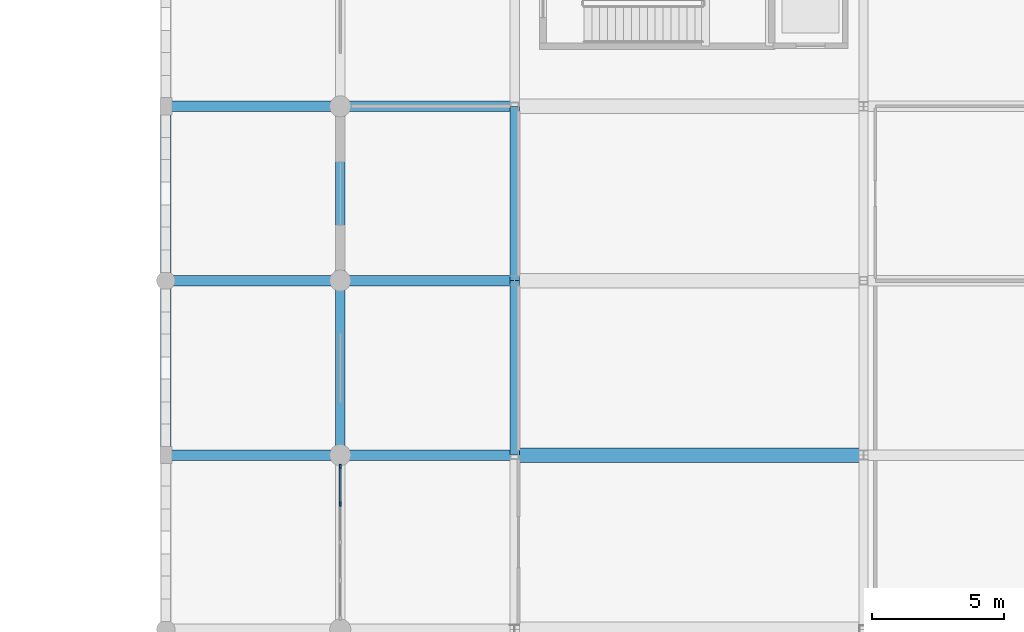
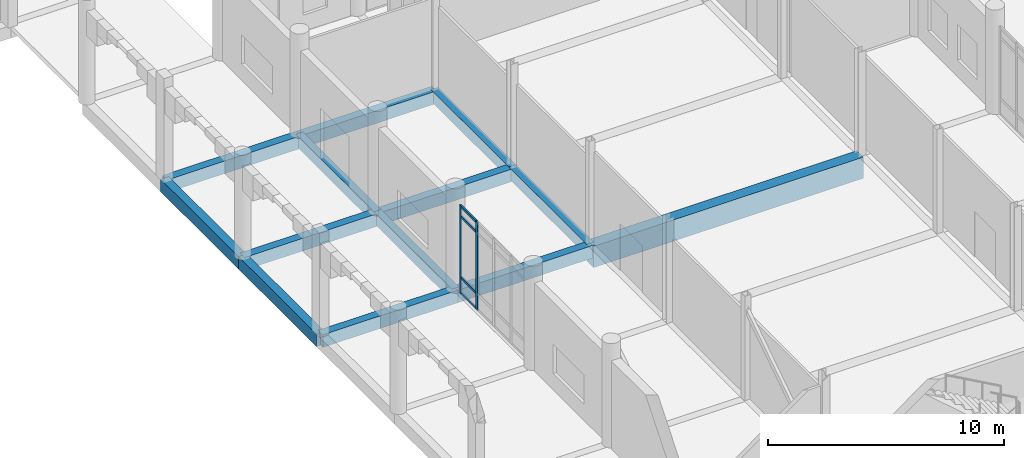
# One storey, part 14 of 72: 13 beams, 6 members, 1 element without a shape of its own.
"""IFC4 building model written with IfcOpenShell, lengths in metres."""

from ifc_helpers import new_model, si_unit, direction, frame, origin, origin_2d, place, context, subcontext, project, spatial, rectangle, extrude, material, material_profile, profile_set, type_object, element, aggregate, save


model = new_model("IFC4")

# Units and contexts
model_context = context("Model", 3, precision=1e-05, world=origin(), true_north=direction((0.0, 1.0)))
body_context = subcontext(model_context, "Body", "Model", "MODEL_VIEW")
ifc_project = project(units=[si_unit("LENGTHUNIT", "METRE"), si_unit("AREAUNIT", "SQUARE_METRE"), si_unit("VOLUMEUNIT", "CUBIC_METRE"), si_unit("PLANEANGLEUNIT", "RADIAN"), si_unit("MASSUNIT", "GRAM", prefix="KILO")], contexts=[model_context])

# Site, building, storey
site_placement = place(None, origin())
site = spatial("IfcSite", under=ifc_project, at=site_placement, CompositionType="ELEMENT")
building_placement = place(site_placement, origin())
building = spatial("IfcBuilding", under=site, at=building_placement, Name="Dornvale Research Institute", CompositionType="ELEMENT")
storey_placement = place(building_placement, origin())
storey = spatial("IfcBuildingStorey", under=building, at=storey_placement, Name="L00", CompositionType="ELEMENT", Elevation=0.0)

# Beams
ifc_material_1 = material(Name="Concrete f'c 45 MPa (C35/45)", Category="concrete")
ifc_material_profile_1 = material_profile(ifc_material_1, rectangle(XDim=0.35009765625, YDim=0.60009765625, at=origin_2d()), Name="RC 350x600")
ifc_profile_set_1 = profile_set([ifc_material_profile_1], Name="Concrete f'c 45 MPa (C35/45)")
beam_type_1 = type_object("IfcBeamType", Name="Beam_RC350x600_Floor", PredefinedType="BEAM", material=ifc_profile_set_1)
beam_1_placement = place(storey_placement, frame((39.60009765625, 66.0, -0.300048828125), z_axis=(0.0, 1.0, 0.0), x_axis=(-1.0, 0.0, 0.0)))
element("IfcBeam", 1, at=beam_1_placement, inside=storey, type_object=beam_type_1, Name="L00 transverse girder #244", PredefinedType="BEAM", context=body_context, shape_type="SweptSolid", body=[
    extrude(rectangle(XDim=0.35009765625, YDim=0.60009765625, at=origin_2d()), origin(), (0.0, 0.0, 1.0), 6.60009765625),
])
beam_2_placement = place(storey_placement, frame((39.60009765625, 72.60009765625, -0.300048828125), z_axis=(0.0, 1.0, 0.0), x_axis=(-1.0, 0.0, 0.0)))
element("IfcBeam", 2, at=beam_2_placement, inside=storey, type_object=beam_type_1, Name="L00 transverse girder #245", PredefinedType="BEAM", context=body_context, shape_type="SweptSolid", body=[
    extrude(rectangle(XDim=0.35009765625, YDim=0.60009765625, at=origin_2d()), origin(), (0.0, 0.0, 1.0), 6.599853515625),
])
beam_3_placement = place(storey_placement, frame((46.199951171875, 66.0, -0.300048828125), z_axis=(0.0, 1.0, 0.0), x_axis=(-1.0, 0.0, 0.0)))
element("IfcBeam", 3, at=beam_3_placement, inside=storey, type_object=beam_type_1, Name="L00 transverse girder #251", PredefinedType="BEAM", context=body_context, shape_type="SweptSolid", body=[
    extrude(rectangle(XDim=0.35009765625, YDim=0.60009765625, at=origin_2d()), origin(), (0.0, 0.0, 1.0), 6.60009765625),
])
beam_4_placement = place(storey_placement, frame((46.199951171875, 72.60009765625, -0.300048828125), z_axis=(0.0, 1.0, 0.0), x_axis=(-1.0, 0.0, 0.0)))
element("IfcBeam", 4, at=beam_4_placement, inside=storey, type_object=beam_type_1, Name="L00 transverse girder #252", PredefinedType="BEAM", context=body_context, shape_type="SweptSolid", body=[
    extrude(rectangle(XDim=0.35009765625, YDim=0.60009765625, at=origin_2d()), origin(), (0.0, 0.0, 1.0), 6.599853515625),
])
ifc_material_2 = material(Name="Concrete f'c 45 MPa (C35/45)", Category="concrete")
ifc_material_profile_2 = material_profile(ifc_material_2, rectangle(XDim=0.39990234375, YDim=0.64990234375, at=origin_2d()), Name="RC 400x650")
ifc_profile_set_2 = profile_set([ifc_material_profile_2], Name="Concrete f'c 45 MPa (C35/45)")
beam_type_2 = type_object("IfcBeamType", Name="Beam_RC400x650_Floor", PredefinedType="BEAM", material=ifc_profile_set_2)
for number, where, z_axis, x_axis, name in (
    (5, (39.60009765625, 66.0, -0.324951171875), (1.0, 0.0, 0.0), (0.0, 1.0, 0.0), "L00 primary girder #228"),
    (6, (39.60009765625, 72.60009765625, -0.324951171875), (1.0, 0.0, 0.0), (0.0, 1.0, 0.0), "L00 primary girder #231"),
    (7, (39.60009765625, 79.199951171875, -0.324951171875), (1.0, 0.0, 0.0), (0.0, 1.0, 0.0), "L00 primary girder #234"),
):
    element("IfcBeam", number, at=place(storey_placement, frame(where, z_axis=z_axis, x_axis=x_axis)), inside=storey, type_object=beam_type_2, Name=name, PredefinedType="BEAM", context=body_context, shape_type="SweptSolid", body=[
        extrude(rectangle(XDim=0.39990234375, YDim=0.64990234375, at=origin_2d()), origin(), (0.0, 0.0, 1.0), 6.599853515625),
    ])
beam_5_placement = place(storey_placement, frame((33.0, 66.0, -0.324951171875), z_axis=(0.0, 1.0, 0.0), x_axis=(-1.0, 0.0, 0.0)))
element("IfcBeam", 8, at=beam_5_placement, inside=storey, type_object=beam_type_2, Name="L00 arcade grade beam #1874", PredefinedType="BEAM", context=body_context, shape_type="SweptSolid", body=[
    extrude(rectangle(XDim=0.39990234375, YDim=0.64990234375, at=origin_2d()), origin(), (0.0, 0.0, 1.0), 6.60009765625),
])
beam_6_placement = place(storey_placement, frame((33.0, 72.60009765625, -0.324951171875), z_axis=(0.0, 1.0, 0.0), x_axis=(-1.0, 0.0, 0.0)))
element("IfcBeam", 9, at=beam_6_placement, inside=storey, type_object=beam_type_2, Name="L00 arcade grade beam #1876", PredefinedType="BEAM", context=body_context, shape_type="SweptSolid", body=[
    extrude(rectangle(XDim=0.39990234375, YDim=0.64990234375, at=origin_2d()), origin(), (0.0, 0.0, 1.0), 6.599853515625),
])
for number, where, z_axis, x_axis, name in (
    (10, (33.0, 66.0, -0.324951171875), (1.0, 0.0, 0.0), (0.0, 1.0, 0.0), "L00 arcade tie beam #1888"),
    (11, (33.0, 72.60009765625, -0.324951171875), (1.0, 0.0, 0.0), (0.0, 1.0, 0.0), "L00 arcade tie beam #1890"),
    (12, (33.0, 79.199951171875, -0.324951171875), (1.0, 0.0, 0.0), (0.0, 1.0, 0.0), "L00 arcade tie beam #1892"),
):
    element("IfcBeam", number, at=place(storey_placement, frame(where, z_axis=z_axis, x_axis=x_axis)), inside=storey, type_object=beam_type_2, Name=name, PredefinedType="BEAM", context=body_context, shape_type="SweptSolid", body=[
        extrude(rectangle(XDim=0.39990234375, YDim=0.64990234375, at=origin_2d()), origin(), (0.0, 0.0, 1.0), 6.60009765625),
    ])
ifc_material_3 = material(Name="Concrete f'c 45 MPa (C35/45)", Category="concrete")
ifc_material_profile_3 = material_profile(ifc_material_3, rectangle(XDim=0.550048828125, YDim=1.10009765625, at=origin_2d()), Name="RC 550x1100")
ifc_profile_set_3 = profile_set([ifc_material_profile_3], Name="Concrete f'c 45 MPa (C35/45)")
beam_type_3 = type_object("IfcBeamType", Name="Beam_RC550x1100_Girder", PredefinedType="BEAM", material=ifc_profile_set_3)
beam_7_placement = place(storey_placement, frame((46.199951171875, 66.0, -0.550048828125), z_axis=(1.0, 0.0, 0.0), x_axis=(0.0, 1.0, 0.0)))
element("IfcBeam", 13, at=beam_7_placement, inside=storey, type_object=beam_type_3, Name="L00 primary girder #229", PredefinedType="BEAM", context=body_context, shape_type="SweptSolid", body=[
    extrude(rectangle(XDim=0.550048828125, YDim=1.10009765625, at=origin_2d()), origin(), (0.0, 0.0, 1.0), 13.199951171875),
])

# Curtain wall, members
ifc_material_4 = material(Name="Low-E Argon Double Insulating Glazing Unit", Category="glass")
curtain_wall_type = type_object("IfcCurtainWallType", Name="UnitisedCurtainWall_V2_5810x4550", PredefinedType="USERDEFINED", material=ifc_material_4)
curtain_wall_placement = place(storey_placement, origin())
curtain_wall = element("IfcCurtainWall", 14, at=curtain_wall_placement, inside=storey, type_object=curtain_wall_type, Name="L00 V2 unitised curtain wall CW-01 #1", ObjectType="UNITISED CURTAIN WALL", PredefinedType="USERDEFINED")
ifc_material_5 = material(Name="Anodized Aluminum AA 6063-T6 Thermally Broken Frame", Category="aluminium")
ifc_material_profile_4 = material_profile(ifc_material_5, rectangle(XDim=0.06494140625, YDim=0.1650390625, at=origin_2d()), Name="ALU MULLION 65x165")
ifc_profile_set_4 = profile_set([ifc_material_profile_4], Name="Anodized Aluminum AA 6063-T6 Thermally Broken Frame")
member_type_1 = type_object("IfcMemberType", Name="Mullion_Atrium_65x165", PredefinedType="MULLION", material=ifc_profile_set_4)
member_1_placement = place(storey_placement, frame((39.60009765625, 64.152587890625, 0.0), z_axis=(0.0, 0.0, 1.0), x_axis=(-1.0, 0.0, 0.0)))
member_1 = element("IfcMember", 15, at=member_1_placement, type_object=member_type_1, Name="CW-01 mullion 4", PredefinedType="MULLION", context=body_context, shape_type="SweptSolid", body=[
    extrude(rectangle(XDim=0.06494140625, YDim=0.1650390625, at=origin_2d()), origin(), (0.0, 0.0, 1.0), 4.550048828125),
])
member_2_placement = place(storey_placement, frame((39.60009765625, 65.572509765625, 0.0), z_axis=(0.0, 0.0, 1.0), x_axis=(-1.0, 0.0, 0.0)))
member_2 = element("IfcMember", 16, at=member_2_placement, type_object=member_type_1, Name="CW-01 mullion 5", PredefinedType="MULLION", context=body_context, shape_type="SweptSolid", body=[
    extrude(rectangle(XDim=0.06494140625, YDim=0.1650390625, at=origin_2d()), origin(), (0.0, 0.0, 1.0), 4.550048828125),
])
ifc_material_6 = material(Name="Anodized Aluminum AA 6063-T6 Thermally Broken Frame", Category="aluminium")
ifc_material_profile_5 = material_profile(ifc_material_6, rectangle(XDim=0.06494140625, YDim=0.135009765625, at=origin_2d()), Name="ALU TRANSOM 65x135")
ifc_profile_set_5 = profile_set([ifc_material_profile_5], Name="Anodized Aluminum AA 6063-T6 Thermally Broken Frame")
member_type_2 = type_object("IfcMemberType", Name="Transom_CW_65x135", PredefinedType="USERDEFINED", material=ifc_profile_set_5)
member_3_placement = place(storey_placement, frame((39.60009765625, 64.18505859375, 0.032470703125), z_axis=(0.0, 1.0, 0.0), x_axis=(-1.0, 0.0, 0.0)))
member_3 = element("IfcMember", 17, at=member_3_placement, type_object=member_type_2, Name="CW-01 transom 4.1", ObjectType="TRANSOM", PredefinedType="USERDEFINED", context=body_context, shape_type="SweptSolid", body=[
    extrude(rectangle(XDim=0.06494140625, YDim=0.135009765625, at=origin_2d()), origin(), (0.0, 0.0, 1.0), 1.35498046875),
])
member_4_placement = place(storey_placement, frame((39.60009765625, 64.18505859375, 0.85009765625), z_axis=(0.0, 1.0, 0.0), x_axis=(-1.0, 0.0, 0.0)))
member_4 = element("IfcMember", 18, at=member_4_placement, type_object=member_type_2, Name="CW-01 transom 4.2", ObjectType="TRANSOM", PredefinedType="USERDEFINED", context=body_context, shape_type="SweptSolid", body=[
    extrude(rectangle(XDim=0.06494140625, YDim=0.135009765625, at=origin_2d()), origin(), (0.0, 0.0, 1.0), 1.35498046875),
])
member_5_placement = place(storey_placement, frame((39.60009765625, 64.18505859375, 4.0), z_axis=(0.0, 1.0, 0.0), x_axis=(-1.0, 0.0, 0.0)))
member_5 = element("IfcMember", 19, at=member_5_placement, type_object=member_type_2, Name="CW-01 transom 4.3", ObjectType="TRANSOM", PredefinedType="USERDEFINED", context=body_context, shape_type="SweptSolid", body=[
    extrude(rectangle(XDim=0.06494140625, YDim=0.135009765625, at=origin_2d()), origin(), (0.0, 0.0, 1.0), 1.35498046875),
])
member_6_placement = place(storey_placement, frame((39.60009765625, 64.18505859375, 4.517578125), z_axis=(0.0, 1.0, 0.0), x_axis=(-1.0, 0.0, 0.0)))
member_6 = element("IfcMember", 20, at=member_6_placement, type_object=member_type_2, Name="CW-01 transom 4.4", ObjectType="TRANSOM", PredefinedType="USERDEFINED", context=body_context, shape_type="SweptSolid", body=[
    extrude(rectangle(XDim=0.06494140625, YDim=0.135009765625, at=origin_2d()), origin(), (0.0, 0.0, 1.0), 1.35498046875),
])
aggregate(curtain_wall, [member_1, member_2, member_3, member_4, member_5, member_6])

save(model, "model.ifc")
